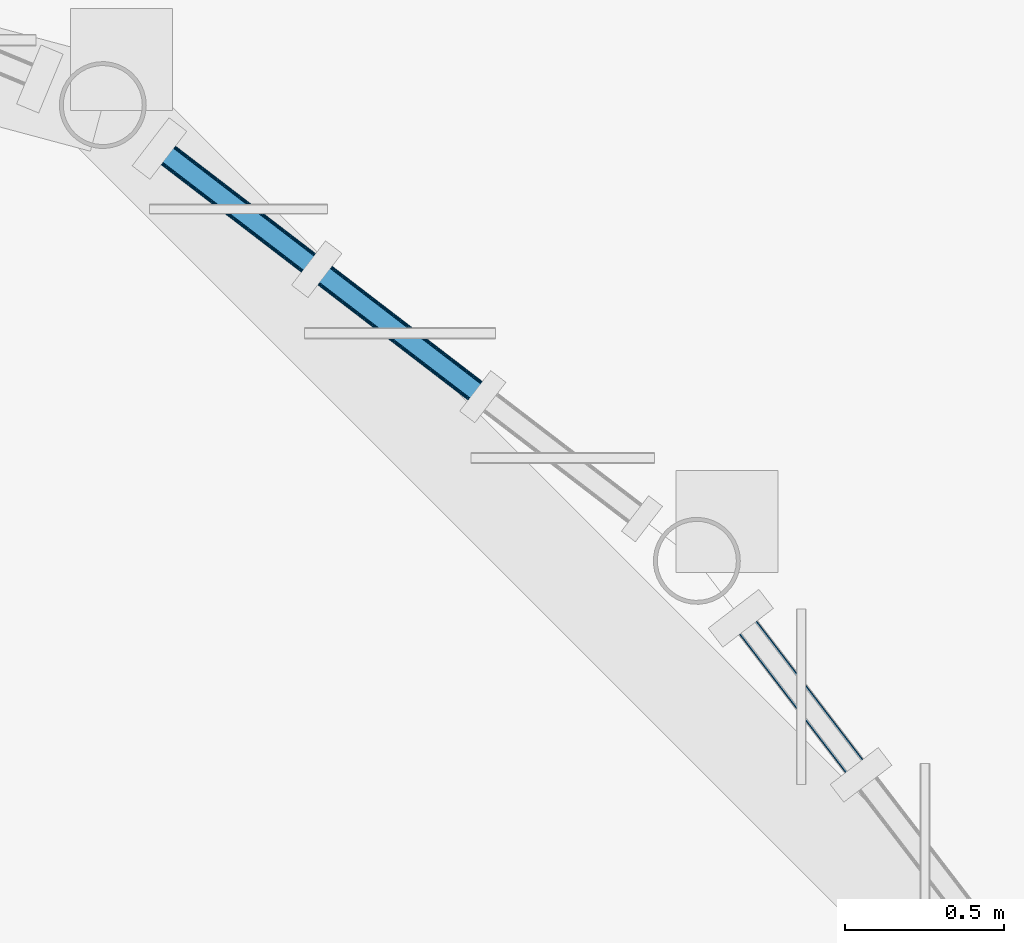
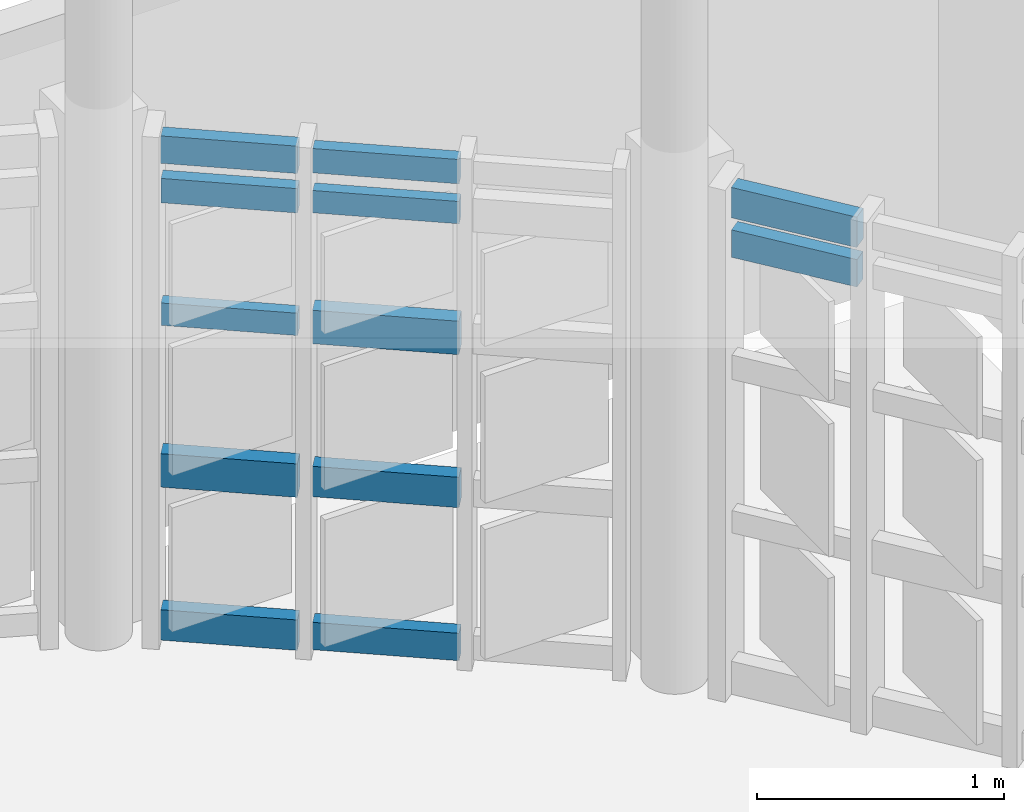
# One storey, part 26 of 44: 12 members, 2 elements without a shape of their own.
"""IFC4 building model written with IfcOpenShell, lengths in metres."""

from ifc_helpers import new_model, si_unit, direction, frame, origin, origin_2d, place, context, subcontext, project, spatial, rectangle, extrude, material, material_profile, profile_set, type_object, element, aggregate, save


model = new_model("IFC4")

# Units and contexts
model_context = context("Model", 3, precision=1e-05, world=origin(), true_north=direction((0.0, 1.0)))
body_context = subcontext(model_context, "Body", "Model", "MODEL_VIEW")
ifc_project = project(units=[si_unit("LENGTHUNIT", "METRE"), si_unit("AREAUNIT", "SQUARE_METRE"), si_unit("VOLUMEUNIT", "CUBIC_METRE"), si_unit("PLANEANGLEUNIT", "RADIAN"), si_unit("MASSUNIT", "GRAM", prefix="KILO")], contexts=[model_context])

# Site, building, storey
site_placement = place(None, origin())
site = spatial("IfcSite", under=ifc_project, at=site_placement, CompositionType="ELEMENT")
building_placement = place(site_placement, origin())
building = spatial("IfcBuilding", under=site, at=building_placement, Name="Serraforn Aerial Cableway Station", CompositionType="ELEMENT")
storey_placement = place(building_placement, frame((0.0, 0.0, 13.800048828125)))
storey = spatial("IfcBuildingStorey", under=building, at=storey_placement, Name="L03", CompositionType="ELEMENT", Elevation=13.800048828125)

# Curtain wall, members
ifc_material_1 = material(Name="Anodised bronze unitised curtain wall")
curtain_wall_type_1 = type_object("IfcCurtainWallType", Name="CW-SYS-28", PredefinedType="USERDEFINED", material=ifc_material_1)
curtain_wall_1_placement = place(storey_placement, origin())
curtain_wall_1 = element("IfcCurtainWall", 1, at=curtain_wall_1_placement, inside=storey, type_object=curtain_wall_type_1, Name="Unitised Curtain Wall CW-AP-L03-R9", ObjectType="UNITISED CURTAIN WALL", PredefinedType="USERDEFINED")
ifc_material_2 = material(Name="Anodised bronze extruded aluminium", Category="aluminium")
ifc_material_profile_1 = material_profile(ifc_material_2, rectangle(XDim=0.054931640625, YDim=0.110107421875, at=origin_2d()), Name="CW TRANSOM 55x110")
ifc_profile_set_1 = profile_set([ifc_material_profile_1], Name="Anodised bronze extruded aluminium")
member_type_1 = type_object("IfcMemberType", Name="CW-TRN-1", PredefinedType="USERDEFINED", material=ifc_profile_set_1)
member_1_placement = place(storey_placement, frame((64.7705078125, 48.896240234375, 2.243896484375), z_axis=(-0.793442186035, 0.608645625483, 0.0), x_axis=(-0.608645625483, -0.793442186035, 0.0)))
member_1 = element("IfcMember", 2, at=member_1_placement, type_object=member_type_1, Name="Curtain Wall Transom CW-AP-L03-R9-T2-4", ObjectType="TRANSOM", PredefinedType="USERDEFINED", context=body_context, shape_type="SweptSolid", body=[
    extrude(rectangle(XDim=0.054931640625, YDim=0.110107421875, at=origin_2d()), origin(), (0.0, 0.0, 1.0), 0.598388671875),
])
member_2_placement = place(storey_placement, frame((64.247314453125, 49.297607421875, 1.6318359375), z_axis=(-0.793500799504, 0.608569208214, 0.0), x_axis=(-0.608569208214, -0.793500799504, 0.0)))
member_2 = element("IfcMember", 3, at=member_2_placement, type_object=member_type_1, Name="Curtain Wall Transom CW-AP-L03-R9-T3-3", ObjectType="TRANSOM", PredefinedType="USERDEFINED", context=body_context, shape_type="SweptSolid", body=[
    extrude(rectangle(XDim=0.054931640625, YDim=0.110107421875, at=origin_2d()), origin(), (0.0, 0.0, 1.0), 0.558349609375),
])
ifc_material_profile_2 = material_profile(ifc_material_2, rectangle(XDim=0.06005859375, YDim=0.1201171875, at=origin_2d()), Name="CW TRANSOM 60x120")
ifc_profile_set_2 = profile_set([ifc_material_profile_2], Name="Anodised bronze extruded aluminium")
member_type_2 = type_object("IfcMemberType", Name="CW-TRN-2", PredefinedType="USERDEFINED", material=ifc_profile_set_2)
member_3_placement = place(storey_placement, frame((64.7705078125, 48.896240234375, 2.447998046875), z_axis=(-0.793442186035, 0.608645625483, 0.0), x_axis=(-0.608645625483, -0.793442186035, 0.0)))
member_3 = element("IfcMember", 4, at=member_3_placement, type_object=member_type_2, Name="Curtain Wall Transom CW-AP-L03-R9-T2-5", ObjectType="TRANSOM", PredefinedType="USERDEFINED", context=body_context, shape_type="SweptSolid", body=[
    extrude(rectangle(XDim=0.06005859375, YDim=0.1201171875, at=origin_2d()), origin(), (0.0, 0.0, 1.0), 0.598388671875),
])
member_4_placement = place(storey_placement, frame((64.247314453125, 49.297607421875, 2.243896484375), z_axis=(-0.793500799504, 0.608569208214, 0.0), x_axis=(-0.608569208214, -0.793500799504, 0.0)))
member_4 = element("IfcMember", 5, at=member_4_placement, type_object=member_type_2, Name="Curtain Wall Transom CW-AP-L03-R9-T3-4", ObjectType="TRANSOM", PredefinedType="USERDEFINED", context=body_context, shape_type="SweptSolid", body=[
    extrude(rectangle(XDim=0.06005859375, YDim=0.1201171875, at=origin_2d()), origin(), (0.0, 0.0, 1.0), 0.558349609375),
])
ifc_material_profile_3 = material_profile(ifc_material_2, rectangle(XDim=0.06494140625, YDim=0.135009765625, at=origin_2d()), Name="CW TRANSOM 65x135")
ifc_profile_set_3 = profile_set([ifc_material_profile_3], Name="Anodised bronze extruded aluminium")
member_type_3 = type_object("IfcMemberType", Name="CW-TRN-3", PredefinedType="USERDEFINED", material=ifc_profile_set_3)
member_5_placement = place(storey_placement, frame((64.7705078125, 48.896240234375, 0.10205078125), z_axis=(-0.793442186035, 0.608645625483, 0.0), x_axis=(-0.608645625483, -0.793442186035, 0.0)))
member_5 = element("IfcMember", 6, at=member_5_placement, type_object=member_type_3, Name="Curtain Wall Transom CW-AP-L03-R9-T2-1", ObjectType="TRANSOM", PredefinedType="USERDEFINED", context=body_context, shape_type="SweptSolid", body=[
    extrude(rectangle(XDim=0.06494140625, YDim=0.135009765625, at=origin_2d()), origin(), (0.0, 0.0, 1.0), 0.598388671875),
])
member_6_placement = place(storey_placement, frame((64.247314453125, 49.297607421875, 2.447998046875), z_axis=(-0.793500799504, 0.608569208214, 0.0), x_axis=(-0.608569208214, -0.793500799504, 0.0)))
member_6 = element("IfcMember", 7, at=member_6_placement, type_object=member_type_3, Name="Curtain Wall Transom CW-AP-L03-R9-T3-5", ObjectType="TRANSOM", PredefinedType="USERDEFINED", context=body_context, shape_type="SweptSolid", body=[
    extrude(rectangle(XDim=0.06494140625, YDim=0.135009765625, at=origin_2d()), origin(), (0.0, 0.0, 1.0), 0.558349609375),
])

# Curtain wall, member
curtain_wall_type_2 = type_object("IfcCurtainWallType", Name="CW-SYS-1", PredefinedType="USERDEFINED", material=ifc_material_1)
curtain_wall_2_placement = place(storey_placement, origin())
curtain_wall_2 = element("IfcCurtainWall", 8, at=curtain_wall_2_placement, inside=storey, type_object=curtain_wall_type_2, Name="Unitised Curtain Wall CW-AP-L03-R10", ObjectType="UNITISED CURTAIN WALL", PredefinedType="USERDEFINED")
member_7_placement = place(storey_placement, frame((65.958984375, 47.71875, 2.243896484375), z_axis=(-0.608617646917, 0.793463647473, 0.0), x_axis=(-0.793463647473, -0.608617646917, 0.0)))
member_7 = element("IfcMember", 9, at=member_7_placement, type_object=member_type_3, Name="Curtain Wall Transom CW-AP-L03-R10-T3-4", ObjectType="TRANSOM", PredefinedType="USERDEFINED", context=body_context, shape_type="SweptSolid", body=[
    extrude(rectangle(XDim=0.06494140625, YDim=0.135009765625, at=origin_2d()), origin(), (0.0, 0.0, 1.0), 0.55078125),
])

# Member
ifc_material_profile_4 = material_profile(ifc_material_2, rectangle(XDim=0.070068359375, YDim=0.14990234375, at=origin_2d()), Name="CW TRANSOM 70x150")
ifc_profile_set_4 = profile_set([ifc_material_profile_4], Name="Anodised bronze extruded aluminium")
member_type_4 = type_object("IfcMemberType", Name="CW-TRN-4", PredefinedType="USERDEFINED", material=ifc_profile_set_4)
member_8_placement = place(storey_placement, frame((64.7705078125, 48.896240234375, 0.866943359375), z_axis=(-0.793442186035, 0.608645625483, 0.0), x_axis=(-0.608645625483, -0.793442186035, 0.0)))
member_8 = element("IfcMember", 10, at=member_8_placement, type_object=member_type_4, Name="Curtain Wall Transom CW-AP-L03-R9-T2-2", ObjectType="TRANSOM", PredefinedType="USERDEFINED", context=body_context, shape_type="SweptSolid", body=[
    extrude(rectangle(XDim=0.070068359375, YDim=0.14990234375, at=origin_2d()), origin(), (0.0, 0.0, 1.0), 0.598388671875),
])

member_9_placement = place(storey_placement, frame((64.247314453125, 49.297607421875, 0.10205078125), z_axis=(-0.793500799504, 0.608569208214, 0.0), x_axis=(-0.608569208214, -0.793500799504, 0.0)))
member_9 = element("IfcMember", 11, at=member_9_placement, type_object=member_type_4, Name="Curtain Wall Transom CW-AP-L03-R9-T3-1", ObjectType="TRANSOM", PredefinedType="USERDEFINED", context=body_context, shape_type="SweptSolid", body=[
    extrude(rectangle(XDim=0.070068359375, YDim=0.14990234375, at=origin_2d()), origin(), (0.0, 0.0, 1.0), 0.558349609375),
])

member_10_placement = place(storey_placement, frame((65.958984375, 47.71875, 2.447998046875), z_axis=(-0.608617646917, 0.793463647473, 0.0), x_axis=(-0.793463647473, -0.608617646917, 0.0)))
member_10 = element("IfcMember", 12, at=member_10_placement, type_object=member_type_4, Name="Curtain Wall Transom CW-AP-L03-R10-T3-5", ObjectType="TRANSOM", PredefinedType="USERDEFINED", context=body_context, shape_type="SweptSolid", body=[
    extrude(rectangle(XDim=0.070068359375, YDim=0.14990234375, at=origin_2d()), origin(), (0.0, 0.0, 1.0), 0.55078125),
])

aggregate(curtain_wall_2, [member_7, member_10])

ifc_material_profile_5 = material_profile(ifc_material_2, rectangle(XDim=0.074951171875, YDim=0.1650390625, at=origin_2d()), Name="CW TRANSOM 75x165")
ifc_profile_set_5 = profile_set([ifc_material_profile_5], Name="Anodised bronze extruded aluminium")
member_type_5 = type_object("IfcMemberType", Name="CW-TRN-5", PredefinedType="USERDEFINED", material=ifc_profile_set_5)
member_11_placement = place(storey_placement, frame((64.7705078125, 48.896240234375, 1.6318359375), z_axis=(-0.793442186035, 0.608645625483, 0.0), x_axis=(-0.608645625483, -0.793442186035, 0.0)))
member_11 = element("IfcMember", 13, at=member_11_placement, type_object=member_type_5, Name="Curtain Wall Transom CW-AP-L03-R9-T2-3", ObjectType="TRANSOM", PredefinedType="USERDEFINED", context=body_context, shape_type="SweptSolid", body=[
    extrude(rectangle(XDim=0.074951171875, YDim=0.1650390625, at=origin_2d()), origin(), (0.0, 0.0, 1.0), 0.598388671875),
])

member_12_placement = place(storey_placement, frame((64.247314453125, 49.297607421875, 0.866943359375), z_axis=(-0.793500799504, 0.608569208214, 0.0), x_axis=(-0.608569208214, -0.793500799504, 0.0)))
member_12 = element("IfcMember", 14, at=member_12_placement, type_object=member_type_5, Name="Curtain Wall Transom CW-AP-L03-R9-T3-2", ObjectType="TRANSOM", PredefinedType="USERDEFINED", context=body_context, shape_type="SweptSolid", body=[
    extrude(rectangle(XDim=0.074951171875, YDim=0.1650390625, at=origin_2d()), origin(), (0.0, 0.0, 1.0), 0.558349609375),
])

aggregate(curtain_wall_1, [member_5, member_8, member_11, member_1, member_3, member_9, member_12, member_2, member_4, member_6])

save(model, "model.ifc")
